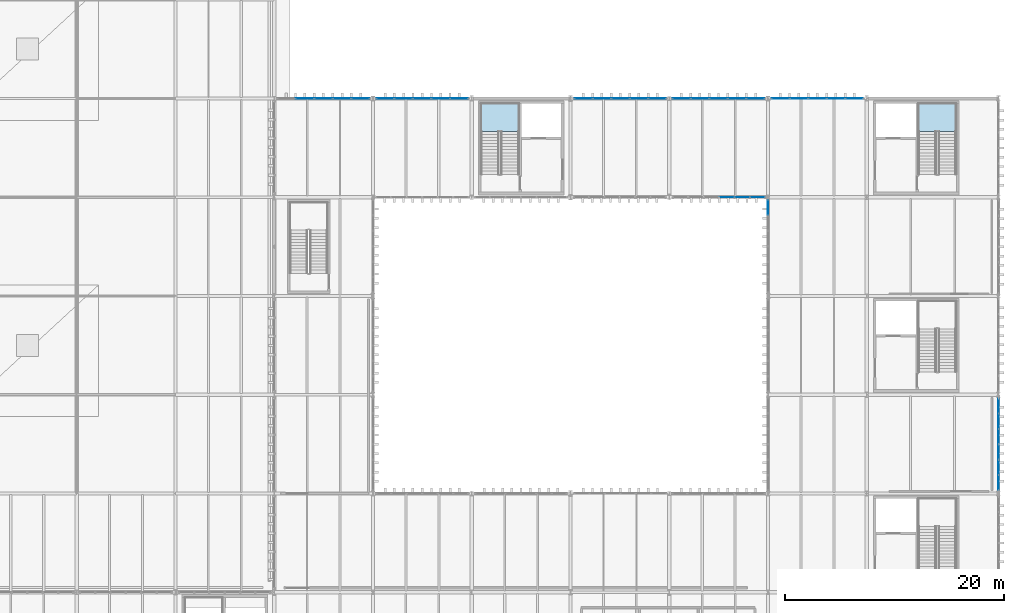
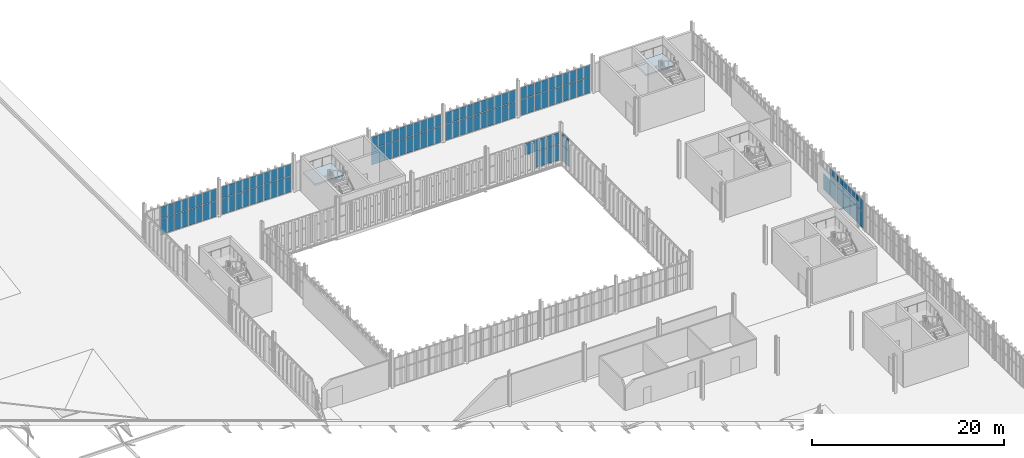
# One storey, part 170 of 196: 66 plates, 2 slabs, 10 elements without a shape of their own.
"""IFC4 building model written with IfcOpenShell, lengths in metres."""

from ifc_helpers import new_model, si_unit, direction, frame, origin, origin_2d, place, context, subcontext, project, spatial, polyline, rectangle, outline, extrude, material, layer, layer_set, type_object, element, aggregate, save


model = new_model("IFC4")

# Units and contexts
model_context = context("Model", 3, precision=1e-05, world=origin(), true_north=direction((0.0, 1.0)))
body_context = subcontext(model_context, "Body", "Model", "MODEL_VIEW")
ifc_project = project(units=[si_unit("LENGTHUNIT", "METRE"), si_unit("AREAUNIT", "SQUARE_METRE"), si_unit("VOLUMEUNIT", "CUBIC_METRE"), si_unit("PLANEANGLEUNIT", "RADIAN"), si_unit("MASSUNIT", "GRAM", prefix="KILO")], contexts=[model_context])

# Site, building, storey
site_placement = place(None, origin())
site = spatial("IfcSite", under=ifc_project, at=site_placement, CompositionType="ELEMENT")
building_placement = place(site_placement, origin())
building = spatial("IfcBuilding", under=site, at=building_placement, Name="Barlavento Convention Centre", CompositionType="ELEMENT")
storey_placement = place(building_placement, frame((0.0, 0.0, 18.0)))
storey = spatial("IfcBuildingStorey", under=building, at=storey_placement, Name="L03", CompositionType="ELEMENT", Elevation=18.0)

# Curtain wall, plates
ifc_material_1 = material(Name="Powder-coated aluminium and Low-E glass", Category="aluminium")
ifc_layer_1 = layer(ifc_material_1, 0.179931640625)
ifc_layer_set_1 = layer_set([ifc_layer_1], Name="ARC-CW-CONF-L03")
curtain_wall_type_1 = type_object("IfcCurtainWallType", Name="ARC-CW-CONF-L03", PredefinedType="NOTDEFINED", material=ifc_layer_set_1)
curtain_wall_1_placement = place(storey_placement, origin())
curtain_wall_1 = element("IfcCurtainWall", 1, at=curtain_wall_1_placement, inside=storey, type_object=curtain_wall_type_1, Name="L03 unitised curtain wall CW08", PredefinedType="NOTDEFINED")
ifc_material_2 = material(Name="Double-silver Low-E insulated glass", Category="glass")
ifc_layer_2 = layer(ifc_material_2, 0.028076171875)
ifc_layer_set_2 = layer_set([ifc_layer_2], Name="ARC-CWP-GLZ28")
plate_type = type_object("IfcPlateType", Name="ARC-CWP-GLZ28", PredefinedType="CURTAIN_PANEL", material=ifc_layer_set_2)
plate_1_placement = place(storey_placement, frame((192.0, 64.00048828125, 0.06005859375), z_axis=(0.0, 0.0, 1.0), x_axis=(0.0, 1.0, 0.0)))
plate_1 = element("IfcPlate", 2, at=plate_1_placement, type_object=plate_type, Name="CW08 panel 1.1", PredefinedType="CURTAIN_PANEL", context=body_context, shape_type="SweptSolid", body=[
    extrude(rectangle(XDim=1.310791015625, YDim=0.028076171875, at=origin_2d()), origin(), (0.0, 0.0, 1.0), 2.010009765625),
])
plate_2_placement = place(storey_placement, frame((192.0, 64.00048828125, 2.130126953125), z_axis=(0.0, 0.0, 1.0), x_axis=(0.0, 1.0, 0.0)))
plate_2 = element("IfcPlate", 3, at=plate_2_placement, type_object=plate_type, Name="CW08 panel 1.2", PredefinedType="CURTAIN_PANEL", context=body_context, shape_type="SweptSolid", body=[
    extrude(rectangle(XDim=1.310791015625, YDim=0.028076171875, at=origin_2d()), origin(), (0.0, 0.0, 1.0), 1.4599609375),
])
plate_3_placement = place(storey_placement, frame((192.0, 65.38623046875, 0.06005859375), z_axis=(0.0, 0.0, 1.0), x_axis=(0.0, 1.0, 0.0)))
plate_3 = element("IfcPlate", 4, at=plate_3_placement, type_object=plate_type, Name="CW08 panel 2.1", PredefinedType="CURTAIN_PANEL", context=body_context, shape_type="SweptSolid", body=[
    extrude(rectangle(XDim=1.3408203125, YDim=0.028076171875, at=origin_2d()), origin(), (0.0, 0.0, 1.0), 2.010009765625),
])
plate_4_placement = place(storey_placement, frame((192.0, 65.38623046875, 2.130126953125), z_axis=(0.0, 0.0, 1.0), x_axis=(0.0, 1.0, 0.0)))
plate_4 = element("IfcPlate", 5, at=plate_4_placement, type_object=plate_type, Name="CW08 panel 2.2", PredefinedType="CURTAIN_PANEL", context=body_context, shape_type="SweptSolid", body=[
    extrude(rectangle(XDim=1.3408203125, YDim=0.028076171875, at=origin_2d()), origin(), (0.0, 0.0, 1.0), 1.4599609375),
])
plate_5_placement = place(storey_placement, frame((192.0, 66.787109375, 0.06005859375), z_axis=(0.0, 0.0, 1.0), x_axis=(0.0, 1.0, 0.0)))
plate_5 = element("IfcPlate", 6, at=plate_5_placement, type_object=plate_type, Name="CW08 panel 3.1", PredefinedType="CURTAIN_PANEL", context=body_context, shape_type="SweptSolid", body=[
    extrude(rectangle(XDim=1.3408203125, YDim=0.028076171875, at=origin_2d()), origin(), (0.0, 0.0, 1.0), 2.010009765625),
])
plate_6_placement = place(storey_placement, frame((192.0, 66.787109375, 2.130126953125), z_axis=(0.0, 0.0, 1.0), x_axis=(0.0, 1.0, 0.0)))
plate_6 = element("IfcPlate", 7, at=plate_6_placement, type_object=plate_type, Name="CW08 panel 3.2", PredefinedType="CURTAIN_PANEL", context=body_context, shape_type="SweptSolid", body=[
    extrude(rectangle(XDim=1.3408203125, YDim=0.028076171875, at=origin_2d()), origin(), (0.0, 0.0, 1.0), 1.4599609375),
])
plate_7_placement = place(storey_placement, frame((192.0, 68.18798828125, 0.06005859375), z_axis=(0.0, 0.0, 1.0), x_axis=(0.0, 1.0, 0.0)))
plate_7 = element("IfcPlate", 8, at=plate_7_placement, type_object=plate_type, Name="CW08 panel 4.1", PredefinedType="CURTAIN_PANEL", context=body_context, shape_type="SweptSolid", body=[
    extrude(rectangle(XDim=1.3408203125, YDim=0.028076171875, at=origin_2d()), origin(), (0.0, 0.0, 1.0), 2.010009765625),
])
plate_8_placement = place(storey_placement, frame((192.0, 68.18798828125, 2.130126953125), z_axis=(0.0, 0.0, 1.0), x_axis=(0.0, 1.0, 0.0)))
plate_8 = element("IfcPlate", 9, at=plate_8_placement, type_object=plate_type, Name="CW08 panel 4.2", PredefinedType="CURTAIN_PANEL", context=body_context, shape_type="SweptSolid", body=[
    extrude(rectangle(XDim=1.3408203125, YDim=0.028076171875, at=origin_2d()), origin(), (0.0, 0.0, 1.0), 1.4599609375),
])
plate_9_placement = place(storey_placement, frame((192.0, 69.5888671875, 0.06005859375), z_axis=(0.0, 0.0, 1.0), x_axis=(0.0, 1.0, 0.0)))
plate_9 = element("IfcPlate", 10, at=plate_9_placement, type_object=plate_type, Name="CW08 panel 5.1", PredefinedType="CURTAIN_PANEL", context=body_context, shape_type="SweptSolid", body=[
    extrude(rectangle(XDim=1.3408203125, YDim=0.028076171875, at=origin_2d()), origin(), (0.0, 0.0, 1.0), 2.010009765625),
])
plate_10_placement = place(storey_placement, frame((192.0, 69.5888671875, 2.130126953125), z_axis=(0.0, 0.0, 1.0), x_axis=(0.0, 1.0, 0.0)))
plate_10 = element("IfcPlate", 11, at=plate_10_placement, type_object=plate_type, Name="CW08 panel 5.2", PredefinedType="CURTAIN_PANEL", context=body_context, shape_type="SweptSolid", body=[
    extrude(rectangle(XDim=1.3408203125, YDim=0.028076171875, at=origin_2d()), origin(), (0.0, 0.0, 1.0), 1.4599609375),
])
plate_11_placement = place(storey_placement, frame((192.0, 70.974609375, 0.06005859375), z_axis=(0.0, 0.0, 1.0), x_axis=(0.0, 1.0, 0.0)))
plate_11 = element("IfcPlate", 12, at=plate_11_placement, type_object=plate_type, Name="CW08 panel 6.1", PredefinedType="CURTAIN_PANEL", context=body_context, shape_type="SweptSolid", body=[
    extrude(rectangle(XDim=1.310791015625, YDim=0.028076171875, at=origin_2d()), origin(), (0.0, 0.0, 1.0), 2.010009765625),
])
aggregate(curtain_wall_1, [plate_1, plate_2, plate_3, plate_4, plate_5, plate_6, plate_7, plate_8, plate_9, plate_10, plate_11])

ifc_layer_3 = layer(ifc_material_1, 0.179931640625)
ifc_layer_set_3 = layer_set([ifc_layer_3], Name="ARC-CW-PATIO-B")
curtain_wall_type_2 = type_object("IfcCurtainWallType", Name="ARC-CW-PATIO-B", PredefinedType="NOTDEFINED", material=ifc_layer_set_3)
curtain_wall_2_placement = place(storey_placement, origin())
curtain_wall_2 = element("IfcCurtainWall", 13, at=curtain_wall_2_placement, inside=storey, type_object=curtain_wall_type_2, Name="L03 unitised curtain wall CW12", PredefinedType="NOTDEFINED")
plate_12_placement = place(storey_placement, frame((167.2451171875, 90.0, 2.130126953125), z_axis=(0.0, 0.0, 1.0), x_axis=(1.0, 0.0, 0.0)))
plate_12 = element("IfcPlate", 14, at=plate_12_placement, type_object=plate_type, Name="CW12 panel 4.2", PredefinedType="CURTAIN_PANEL", context=body_context, shape_type="SweptSolid", body=[
    extrude(rectangle(XDim=1.35009765625, YDim=0.028076171875, at=origin_2d()), origin(), (0.0, 0.0, 1.0), 1.4599609375),
])
plate_13_placement = place(storey_placement, frame((168.655029296875, 90.0, 0.06005859375), z_axis=(0.0, 0.0, 1.0), x_axis=(1.0, 0.0, 0.0)))
plate_13 = element("IfcPlate", 15, at=plate_13_placement, type_object=plate_type, Name="CW12 panel 5.1", PredefinedType="CURTAIN_PANEL", context=body_context, shape_type="SweptSolid", body=[
    extrude(rectangle(XDim=1.35009765625, YDim=0.028076171875, at=origin_2d()), origin(), (0.0, 0.0, 1.0), 2.010009765625),
])
plate_14_placement = place(storey_placement, frame((168.655029296875, 90.0, 2.130126953125), z_axis=(0.0, 0.0, 1.0), x_axis=(1.0, 0.0, 0.0)))
plate_14 = element("IfcPlate", 16, at=plate_14_placement, type_object=plate_type, Name="CW12 panel 5.2", PredefinedType="CURTAIN_PANEL", context=body_context, shape_type="SweptSolid", body=[
    extrude(rectangle(XDim=1.35009765625, YDim=0.028076171875, at=origin_2d()), origin(), (0.0, 0.0, 1.0), 1.4599609375),
])
plate_15_placement = place(storey_placement, frame((170.050048828125, 90.0, 0.06005859375), z_axis=(0.0, 0.0, 1.0), x_axis=(1.0, 0.0, 0.0)))
plate_15 = element("IfcPlate", 17, at=plate_15_placement, type_object=plate_type, Name="CW12 panel 6.1", PredefinedType="CURTAIN_PANEL", context=body_context, shape_type="SweptSolid", body=[
    extrude(rectangle(XDim=1.320068359375, YDim=0.028076171875, at=origin_2d()), origin(), (0.0, 0.0, 1.0), 2.010009765625),
])
plate_16_placement = place(storey_placement, frame((170.050048828125, 90.0, 2.130126953125), z_axis=(0.0, 0.0, 1.0), x_axis=(1.0, 0.0, 0.0)))
plate_16 = element("IfcPlate", 18, at=plate_16_placement, type_object=plate_type, Name="CW12 panel 6.2", PredefinedType="CURTAIN_PANEL", context=body_context, shape_type="SweptSolid", body=[
    extrude(rectangle(XDim=1.320068359375, YDim=0.028076171875, at=origin_2d()), origin(), (0.0, 0.0, 1.0), 1.4599609375),
])
aggregate(curtain_wall_2, [plate_12, plate_13, plate_14, plate_15, plate_16])

curtain_wall_3_placement = place(storey_placement, origin())
curtain_wall_3 = element("IfcCurtainWall", 19, at=curtain_wall_3_placement, inside=storey, type_object=curtain_wall_type_2, Name="L03 unitised curtain wall CW12", PredefinedType="NOTDEFINED")
plate_17_placement = place(storey_placement, frame((171.0, 89.050048828125, 0.06005859375), z_axis=(0.0, 0.0, 1.0), x_axis=(0.0, 1.0, 0.0)))
plate_17 = element("IfcPlate", 20, at=plate_17_placement, type_object=plate_type, Name="CW12 panel 6.1", PredefinedType="CURTAIN_PANEL", context=body_context, shape_type="SweptSolid", body=[
    extrude(rectangle(XDim=1.320068359375, YDim=0.028076171875, at=origin_2d()), origin(), (0.0, 0.0, 1.0), 2.010009765625),
])
plate_18_placement = place(storey_placement, frame((171.0, 89.050048828125, 2.130126953125), z_axis=(0.0, 0.0, 1.0), x_axis=(0.0, 1.0, 0.0)))
plate_18 = element("IfcPlate", 21, at=plate_18_placement, type_object=plate_type, Name="CW12 panel 6.2", PredefinedType="CURTAIN_PANEL", context=body_context, shape_type="SweptSolid", body=[
    extrude(rectangle(XDim=1.320068359375, YDim=0.028076171875, at=origin_2d()), origin(), (0.0, 0.0, 1.0), 1.4599609375),
])
aggregate(curtain_wall_3, [plate_17, plate_18])

curtain_wall_4_placement = place(storey_placement, origin())
curtain_wall_4 = element("IfcCurtainWall", 22, at=curtain_wall_4_placement, inside=storey, type_object=curtain_wall_type_1, Name="L03 unitised curtain wall CW08", PredefinedType="NOTDEFINED")
plate_19_placement = place(storey_placement, frame((128.787109375, 99.0, 0.06005859375), z_axis=(0.0, 0.0, 1.0), x_axis=(1.0, 0.0, 0.0)))
plate_19 = element("IfcPlate", 23, at=plate_19_placement, type_object=plate_type, Name="CW08 panel 2.1", PredefinedType="CURTAIN_PANEL", context=body_context, shape_type="SweptSolid", body=[
    extrude(rectangle(XDim=1.637939453125, YDim=0.028076171875, at=origin_2d()), origin(), (0.0, 0.0, 1.0), 2.010009765625),
])
plate_20_placement = place(storey_placement, frame((128.787109375, 99.0, 2.130126953125), z_axis=(0.0, 0.0, 1.0), x_axis=(1.0, 0.0, 0.0)))
plate_20 = element("IfcPlate", 24, at=plate_20_placement, type_object=plate_type, Name="CW08 panel 2.2", PredefinedType="CURTAIN_PANEL", context=body_context, shape_type="SweptSolid", body=[
    extrude(rectangle(XDim=1.637939453125, YDim=0.028076171875, at=origin_2d()), origin(), (0.0, 0.0, 1.0), 1.4599609375),
])
plate_21_placement = place(storey_placement, frame((130.485107421875, 99.0, 0.06005859375), z_axis=(0.0, 0.0, 1.0), x_axis=(1.0, 0.0, 0.0)))
plate_21 = element("IfcPlate", 25, at=plate_21_placement, type_object=plate_type, Name="CW08 panel 3.1", PredefinedType="CURTAIN_PANEL", context=body_context, shape_type="SweptSolid", body=[
    extrude(rectangle(XDim=1.637939453125, YDim=0.028076171875, at=origin_2d()), origin(), (0.0, 0.0, 1.0), 2.010009765625),
])
plate_22_placement = place(storey_placement, frame((130.485107421875, 99.0, 2.130126953125), z_axis=(0.0, 0.0, 1.0), x_axis=(1.0, 0.0, 0.0)))
plate_22 = element("IfcPlate", 26, at=plate_22_placement, type_object=plate_type, Name="CW08 panel 3.2", PredefinedType="CURTAIN_PANEL", context=body_context, shape_type="SweptSolid", body=[
    extrude(rectangle(XDim=1.637939453125, YDim=0.028076171875, at=origin_2d()), origin(), (0.0, 0.0, 1.0), 1.4599609375),
])
plate_23_placement = place(storey_placement, frame((132.18310546875, 99.0, 0.06005859375), z_axis=(0.0, 0.0, 1.0), x_axis=(1.0, 0.0, 0.0)))
plate_23 = element("IfcPlate", 27, at=plate_23_placement, type_object=plate_type, Name="CW08 panel 4.1", PredefinedType="CURTAIN_PANEL", context=body_context, shape_type="SweptSolid", body=[
    extrude(rectangle(XDim=1.637939453125, YDim=0.028076171875, at=origin_2d()), origin(), (0.0, 0.0, 1.0), 2.010009765625),
])
plate_24_placement = place(storey_placement, frame((132.18310546875, 99.0, 2.130126953125), z_axis=(0.0, 0.0, 1.0), x_axis=(1.0, 0.0, 0.0)))
plate_24 = element("IfcPlate", 28, at=plate_24_placement, type_object=plate_type, Name="CW08 panel 4.2", PredefinedType="CURTAIN_PANEL", context=body_context, shape_type="SweptSolid", body=[
    extrude(rectangle(XDim=1.637939453125, YDim=0.028076171875, at=origin_2d()), origin(), (0.0, 0.0, 1.0), 1.4599609375),
])
plate_25_placement = place(storey_placement, frame((133.865966796875, 99.0, 0.06005859375), z_axis=(0.0, 0.0, 1.0), x_axis=(1.0, 0.0, 0.0)))
plate_25 = element("IfcPlate", 29, at=plate_25_placement, type_object=plate_type, Name="CW08 panel 5.1", PredefinedType="CURTAIN_PANEL", context=body_context, shape_type="SweptSolid", body=[
    extrude(rectangle(XDim=1.60791015625, YDim=0.028076171875, at=origin_2d()), origin(), (0.0, 0.0, 1.0), 2.010009765625),
])
plate_26_placement = place(storey_placement, frame((133.865966796875, 99.0, 2.130126953125), z_axis=(0.0, 0.0, 1.0), x_axis=(1.0, 0.0, 0.0)))
plate_26 = element("IfcPlate", 30, at=plate_26_placement, type_object=plate_type, Name="CW08 panel 5.2", PredefinedType="CURTAIN_PANEL", context=body_context, shape_type="SweptSolid", body=[
    extrude(rectangle(XDim=1.60791015625, YDim=0.028076171875, at=origin_2d()), origin(), (0.0, 0.0, 1.0), 1.4599609375),
])
aggregate(curtain_wall_4, [plate_19, plate_20, plate_21, plate_22, plate_23, plate_24, plate_25, plate_26])

curtain_wall_5_placement = place(storey_placement, origin())
curtain_wall_5 = element("IfcCurtainWall", 31, at=curtain_wall_5_placement, inside=storey, type_object=curtain_wall_type_1, Name="L03 unitised curtain wall CW08", PredefinedType="NOTDEFINED")
plate_27_placement = place(storey_placement, frame((136.12841796875, 99.0, 0.06005859375), z_axis=(0.0, 0.0, 1.0), x_axis=(1.0, 0.0, 0.0)))
plate_27 = element("IfcPlate", 32, at=plate_27_placement, type_object=plate_type, Name="CW08 panel 1.1", PredefinedType="CURTAIN_PANEL", context=body_context, shape_type="SweptSolid", body=[
    extrude(rectangle(XDim=1.596923828125, YDim=0.028076171875, at=origin_2d()), origin(), (0.0, 0.0, 1.0), 2.010009765625),
])
plate_28_placement = place(storey_placement, frame((136.12841796875, 99.0, 2.130126953125), z_axis=(0.0, 0.0, 1.0), x_axis=(1.0, 0.0, 0.0)))
plate_28 = element("IfcPlate", 33, at=plate_28_placement, type_object=plate_type, Name="CW08 panel 1.2", PredefinedType="CURTAIN_PANEL", context=body_context, shape_type="SweptSolid", body=[
    extrude(rectangle(XDim=1.596923828125, YDim=0.028076171875, at=origin_2d()), origin(), (0.0, 0.0, 1.0), 1.4599609375),
])
plate_29_placement = place(storey_placement, frame((137.800537109375, 99.0, 0.06005859375), z_axis=(0.0, 0.0, 1.0), x_axis=(1.0, 0.0, 0.0)))
plate_29 = element("IfcPlate", 34, at=plate_29_placement, type_object=plate_type, Name="CW08 panel 2.1", PredefinedType="CURTAIN_PANEL", context=body_context, shape_type="SweptSolid", body=[
    extrude(rectangle(XDim=1.626953125, YDim=0.028076171875, at=origin_2d()), origin(), (0.0, 0.0, 1.0), 2.010009765625),
])
plate_30_placement = place(storey_placement, frame((137.800537109375, 99.0, 2.130126953125), z_axis=(0.0, 0.0, 1.0), x_axis=(1.0, 0.0, 0.0)))
plate_30 = element("IfcPlate", 35, at=plate_30_placement, type_object=plate_type, Name="CW08 panel 2.2", PredefinedType="CURTAIN_PANEL", context=body_context, shape_type="SweptSolid", body=[
    extrude(rectangle(XDim=1.626953125, YDim=0.028076171875, at=origin_2d()), origin(), (0.0, 0.0, 1.0), 1.4599609375),
])
plate_31_placement = place(storey_placement, frame((139.487548828125, 99.0, 0.06005859375), z_axis=(0.0, 0.0, 1.0), x_axis=(1.0, 0.0, 0.0)))
plate_31 = element("IfcPlate", 36, at=plate_31_placement, type_object=plate_type, Name="CW08 panel 3.1", PredefinedType="CURTAIN_PANEL", context=body_context, shape_type="SweptSolid", body=[
    extrude(rectangle(XDim=1.626953125, YDim=0.028076171875, at=origin_2d()), origin(), (0.0, 0.0, 1.0), 2.010009765625),
])
plate_32_placement = place(storey_placement, frame((139.487548828125, 99.0, 2.130126953125), z_axis=(0.0, 0.0, 1.0), x_axis=(1.0, 0.0, 0.0)))
plate_32 = element("IfcPlate", 37, at=plate_32_placement, type_object=plate_type, Name="CW08 panel 3.2", PredefinedType="CURTAIN_PANEL", context=body_context, shape_type="SweptSolid", body=[
    extrude(rectangle(XDim=1.626953125, YDim=0.028076171875, at=origin_2d()), origin(), (0.0, 0.0, 1.0), 1.4599609375),
])
plate_33_placement = place(storey_placement, frame((141.174560546875, 99.0, 0.06005859375), z_axis=(0.0, 0.0, 1.0), x_axis=(1.0, 0.0, 0.0)))
plate_33 = element("IfcPlate", 38, at=plate_33_placement, type_object=plate_type, Name="CW08 panel 4.1", PredefinedType="CURTAIN_PANEL", context=body_context, shape_type="SweptSolid", body=[
    extrude(rectangle(XDim=1.626953125, YDim=0.028076171875, at=origin_2d()), origin(), (0.0, 0.0, 1.0), 2.010009765625),
])
plate_34_placement = place(storey_placement, frame((141.174560546875, 99.0, 2.130126953125), z_axis=(0.0, 0.0, 1.0), x_axis=(1.0, 0.0, 0.0)))
plate_34 = element("IfcPlate", 39, at=plate_34_placement, type_object=plate_type, Name="CW08 panel 4.2", PredefinedType="CURTAIN_PANEL", context=body_context, shape_type="SweptSolid", body=[
    extrude(rectangle(XDim=1.626953125, YDim=0.028076171875, at=origin_2d()), origin(), (0.0, 0.0, 1.0), 1.4599609375),
])
plate_35_placement = place(storey_placement, frame((142.846435546875, 99.0, 0.06005859375), z_axis=(0.0, 0.0, 1.0), x_axis=(1.0, 0.0, 0.0)))
plate_35 = element("IfcPlate", 40, at=plate_35_placement, type_object=plate_type, Name="CW08 panel 5.1", PredefinedType="CURTAIN_PANEL", context=body_context, shape_type="SweptSolid", body=[
    extrude(rectangle(XDim=1.596923828125, YDim=0.028076171875, at=origin_2d()), origin(), (0.0, 0.0, 1.0), 2.010009765625),
])
plate_36_placement = place(storey_placement, frame((142.846435546875, 99.0, 2.130126953125), z_axis=(0.0, 0.0, 1.0), x_axis=(1.0, 0.0, 0.0)))
plate_36 = element("IfcPlate", 41, at=plate_36_placement, type_object=plate_type, Name="CW08 panel 5.2", PredefinedType="CURTAIN_PANEL", context=body_context, shape_type="SweptSolid", body=[
    extrude(rectangle(XDim=1.596923828125, YDim=0.028076171875, at=origin_2d()), origin(), (0.0, 0.0, 1.0), 1.4599609375),
])
aggregate(curtain_wall_5, [plate_27, plate_28, plate_29, plate_30, plate_31, plate_32, plate_33, plate_34, plate_35, plate_36])

curtain_wall_6_placement = place(storey_placement, origin())
curtain_wall_6 = element("IfcCurtainWall", 42, at=curtain_wall_6_placement, inside=storey, type_object=curtain_wall_type_1, Name="L03 unitised curtain wall CW08", PredefinedType="NOTDEFINED")
plate_37_placement = place(storey_placement, frame((154.178955078125, 99.0, 0.06005859375), z_axis=(0.0, 0.0, 1.0), x_axis=(1.0, 0.0, 0.0)))
plate_37 = element("IfcPlate", 43, at=plate_37_placement, type_object=plate_type, Name="CW08 panel 1.1", PredefinedType="CURTAIN_PANEL", context=body_context, shape_type="SweptSolid", body=[
    extrude(rectangle(XDim=1.597900390625, YDim=0.028076171875, at=origin_2d()), origin(), (0.0, 0.0, 1.0), 2.010009765625),
])
plate_38_placement = place(storey_placement, frame((154.178955078125, 99.0, 2.130126953125), z_axis=(0.0, 0.0, 1.0), x_axis=(1.0, 0.0, 0.0)))
plate_38 = element("IfcPlate", 44, at=plate_38_placement, type_object=plate_type, Name="CW08 panel 1.2", PredefinedType="CURTAIN_PANEL", context=body_context, shape_type="SweptSolid", body=[
    extrude(rectangle(XDim=1.597900390625, YDim=0.028076171875, at=origin_2d()), origin(), (0.0, 0.0, 1.0), 1.4599609375),
])
plate_39_placement = place(storey_placement, frame((155.85205078125, 99.0, 0.06005859375), z_axis=(0.0, 0.0, 1.0), x_axis=(1.0, 0.0, 0.0)))
plate_39 = element("IfcPlate", 45, at=plate_39_placement, type_object=plate_type, Name="CW08 panel 2.1", PredefinedType="CURTAIN_PANEL", context=body_context, shape_type="SweptSolid", body=[
    extrude(rectangle(XDim=1.6279296875, YDim=0.028076171875, at=origin_2d()), origin(), (0.0, 0.0, 1.0), 2.010009765625),
])
plate_40_placement = place(storey_placement, frame((155.85205078125, 99.0, 2.130126953125), z_axis=(0.0, 0.0, 1.0), x_axis=(1.0, 0.0, 0.0)))
plate_40 = element("IfcPlate", 46, at=plate_40_placement, type_object=plate_type, Name="CW08 panel 2.2", PredefinedType="CURTAIN_PANEL", context=body_context, shape_type="SweptSolid", body=[
    extrude(rectangle(XDim=1.6279296875, YDim=0.028076171875, at=origin_2d()), origin(), (0.0, 0.0, 1.0), 1.4599609375),
])
plate_41_placement = place(storey_placement, frame((157.5400390625, 99.0, 0.06005859375), z_axis=(0.0, 0.0, 1.0), x_axis=(1.0, 0.0, 0.0)))
plate_41 = element("IfcPlate", 47, at=plate_41_placement, type_object=plate_type, Name="CW08 panel 3.1", PredefinedType="CURTAIN_PANEL", context=body_context, shape_type="SweptSolid", body=[
    extrude(rectangle(XDim=1.6279296875, YDim=0.028076171875, at=origin_2d()), origin(), (0.0, 0.0, 1.0), 2.010009765625),
])
plate_42_placement = place(storey_placement, frame((157.5400390625, 99.0, 2.130126953125), z_axis=(0.0, 0.0, 1.0), x_axis=(1.0, 0.0, 0.0)))
plate_42 = element("IfcPlate", 48, at=plate_42_placement, type_object=plate_type, Name="CW08 panel 3.2", PredefinedType="CURTAIN_PANEL", context=body_context, shape_type="SweptSolid", body=[
    extrude(rectangle(XDim=1.6279296875, YDim=0.028076171875, at=origin_2d()), origin(), (0.0, 0.0, 1.0), 1.4599609375),
])
plate_43_placement = place(storey_placement, frame((159.22802734375, 99.0, 0.06005859375), z_axis=(0.0, 0.0, 1.0), x_axis=(1.0, 0.0, 0.0)))
plate_43 = element("IfcPlate", 49, at=plate_43_placement, type_object=plate_type, Name="CW08 panel 4.1", PredefinedType="CURTAIN_PANEL", context=body_context, shape_type="SweptSolid", body=[
    extrude(rectangle(XDim=1.6279296875, YDim=0.028076171875, at=origin_2d()), origin(), (0.0, 0.0, 1.0), 2.010009765625),
])
plate_44_placement = place(storey_placement, frame((159.22802734375, 99.0, 2.130126953125), z_axis=(0.0, 0.0, 1.0), x_axis=(1.0, 0.0, 0.0)))
plate_44 = element("IfcPlate", 50, at=plate_44_placement, type_object=plate_type, Name="CW08 panel 4.2", PredefinedType="CURTAIN_PANEL", context=body_context, shape_type="SweptSolid", body=[
    extrude(rectangle(XDim=1.6279296875, YDim=0.028076171875, at=origin_2d()), origin(), (0.0, 0.0, 1.0), 1.4599609375),
])
plate_45_placement = place(storey_placement, frame((160.90087890625, 99.0, 0.06005859375), z_axis=(0.0, 0.0, 1.0), x_axis=(1.0, 0.0, 0.0)))
plate_45 = element("IfcPlate", 51, at=plate_45_placement, type_object=plate_type, Name="CW08 panel 5.1", PredefinedType="CURTAIN_PANEL", context=body_context, shape_type="SweptSolid", body=[
    extrude(rectangle(XDim=1.597900390625, YDim=0.028076171875, at=origin_2d()), origin(), (0.0, 0.0, 1.0), 2.010009765625),
])
plate_46_placement = place(storey_placement, frame((160.90087890625, 99.0, 2.130126953125), z_axis=(0.0, 0.0, 1.0), x_axis=(1.0, 0.0, 0.0)))
plate_46 = element("IfcPlate", 52, at=plate_46_placement, type_object=plate_type, Name="CW08 panel 5.2", PredefinedType="CURTAIN_PANEL", context=body_context, shape_type="SweptSolid", body=[
    extrude(rectangle(XDim=1.597900390625, YDim=0.028076171875, at=origin_2d()), origin(), (0.0, 0.0, 1.0), 1.4599609375),
])
aggregate(curtain_wall_6, [plate_37, plate_38, plate_39, plate_40, plate_41, plate_42, plate_43, plate_44, plate_45, plate_46])

curtain_wall_7_placement = place(storey_placement, origin())
curtain_wall_7 = element("IfcCurtainWall", 53, at=curtain_wall_7_placement, inside=storey, type_object=curtain_wall_type_1, Name="L03 unitised curtain wall CW08", PredefinedType="NOTDEFINED")
plate_47_placement = place(storey_placement, frame((163.10400390625, 99.0, 0.06005859375), z_axis=(0.0, 0.0, 1.0), x_axis=(1.0, 0.0, 0.0)))
plate_47 = element("IfcPlate", 54, at=plate_47_placement, type_object=plate_type, Name="CW08 panel 1.1", PredefinedType="CURTAIN_PANEL", context=body_context, shape_type="SweptSolid", body=[
    extrude(rectangle(XDim=1.60791015625, YDim=0.028076171875, at=origin_2d()), origin(), (0.0, 0.0, 1.0), 2.010009765625),
])
plate_48_placement = place(storey_placement, frame((163.10400390625, 99.0, 2.130126953125), z_axis=(0.0, 0.0, 1.0), x_axis=(1.0, 0.0, 0.0)))
plate_48 = element("IfcPlate", 55, at=plate_48_placement, type_object=plate_type, Name="CW08 panel 1.2", PredefinedType="CURTAIN_PANEL", context=body_context, shape_type="SweptSolid", body=[
    extrude(rectangle(XDim=1.60791015625, YDim=0.028076171875, at=origin_2d()), origin(), (0.0, 0.0, 1.0), 1.4599609375),
])
plate_49_placement = place(storey_placement, frame((164.787109375, 99.0, 0.06005859375), z_axis=(0.0, 0.0, 1.0), x_axis=(1.0, 0.0, 0.0)))
plate_49 = element("IfcPlate", 56, at=plate_49_placement, type_object=plate_type, Name="CW08 panel 2.1", PredefinedType="CURTAIN_PANEL", context=body_context, shape_type="SweptSolid", body=[
    extrude(rectangle(XDim=1.637939453125, YDim=0.028076171875, at=origin_2d()), origin(), (0.0, 0.0, 1.0), 2.010009765625),
])
plate_50_placement = place(storey_placement, frame((164.787109375, 99.0, 2.130126953125), z_axis=(0.0, 0.0, 1.0), x_axis=(1.0, 0.0, 0.0)))
plate_50 = element("IfcPlate", 57, at=plate_50_placement, type_object=plate_type, Name="CW08 panel 2.2", PredefinedType="CURTAIN_PANEL", context=body_context, shape_type="SweptSolid", body=[
    extrude(rectangle(XDim=1.637939453125, YDim=0.028076171875, at=origin_2d()), origin(), (0.0, 0.0, 1.0), 1.4599609375),
])
plate_51_placement = place(storey_placement, frame((166.485107421875, 99.0, 0.06005859375), z_axis=(0.0, 0.0, 1.0), x_axis=(1.0, 0.0, 0.0)))
plate_51 = element("IfcPlate", 58, at=plate_51_placement, type_object=plate_type, Name="CW08 panel 3.1", PredefinedType="CURTAIN_PANEL", context=body_context, shape_type="SweptSolid", body=[
    extrude(rectangle(XDim=1.637939453125, YDim=0.028076171875, at=origin_2d()), origin(), (0.0, 0.0, 1.0), 2.010009765625),
])
plate_52_placement = place(storey_placement, frame((166.485107421875, 99.0, 2.130126953125), z_axis=(0.0, 0.0, 1.0), x_axis=(1.0, 0.0, 0.0)))
plate_52 = element("IfcPlate", 59, at=plate_52_placement, type_object=plate_type, Name="CW08 panel 3.2", PredefinedType="CURTAIN_PANEL", context=body_context, shape_type="SweptSolid", body=[
    extrude(rectangle(XDim=1.637939453125, YDim=0.028076171875, at=origin_2d()), origin(), (0.0, 0.0, 1.0), 1.4599609375),
])
plate_53_placement = place(storey_placement, frame((168.18310546875, 99.0, 0.06005859375), z_axis=(0.0, 0.0, 1.0), x_axis=(1.0, 0.0, 0.0)))
plate_53 = element("IfcPlate", 60, at=plate_53_placement, type_object=plate_type, Name="CW08 panel 4.1", PredefinedType="CURTAIN_PANEL", context=body_context, shape_type="SweptSolid", body=[
    extrude(rectangle(XDim=1.637939453125, YDim=0.028076171875, at=origin_2d()), origin(), (0.0, 0.0, 1.0), 2.010009765625),
])
plate_54_placement = place(storey_placement, frame((168.18310546875, 99.0, 2.130126953125), z_axis=(0.0, 0.0, 1.0), x_axis=(1.0, 0.0, 0.0)))
plate_54 = element("IfcPlate", 61, at=plate_54_placement, type_object=plate_type, Name="CW08 panel 4.2", PredefinedType="CURTAIN_PANEL", context=body_context, shape_type="SweptSolid", body=[
    extrude(rectangle(XDim=1.637939453125, YDim=0.028076171875, at=origin_2d()), origin(), (0.0, 0.0, 1.0), 1.4599609375),
])
plate_55_placement = place(storey_placement, frame((169.865966796875, 99.0, 0.06005859375), z_axis=(0.0, 0.0, 1.0), x_axis=(1.0, 0.0, 0.0)))
plate_55 = element("IfcPlate", 62, at=plate_55_placement, type_object=plate_type, Name="CW08 panel 5.1", PredefinedType="CURTAIN_PANEL", context=body_context, shape_type="SweptSolid", body=[
    extrude(rectangle(XDim=1.60791015625, YDim=0.028076171875, at=origin_2d()), origin(), (0.0, 0.0, 1.0), 2.010009765625),
])
plate_56_placement = place(storey_placement, frame((169.865966796875, 99.0, 2.130126953125), z_axis=(0.0, 0.0, 1.0), x_axis=(1.0, 0.0, 0.0)))
plate_56 = element("IfcPlate", 63, at=plate_56_placement, type_object=plate_type, Name="CW08 panel 5.2", PredefinedType="CURTAIN_PANEL", context=body_context, shape_type="SweptSolid", body=[
    extrude(rectangle(XDim=1.60791015625, YDim=0.028076171875, at=origin_2d()), origin(), (0.0, 0.0, 1.0), 1.4599609375),
])
aggregate(curtain_wall_7, [plate_47, plate_48, plate_49, plate_50, plate_51, plate_52, plate_53, plate_54, plate_55, plate_56])

curtain_wall_8_placement = place(storey_placement, origin())
curtain_wall_8 = element("IfcCurtainWall", 64, at=curtain_wall_8_placement, inside=storey, type_object=curtain_wall_type_1, Name="L03 unitised curtain wall CW08", PredefinedType="NOTDEFINED")
plate_57_placement = place(storey_placement, frame((172.12841796875, 99.0, 0.06005859375), z_axis=(0.0, 0.0, 1.0), x_axis=(1.0, 0.0, 0.0)))
plate_57 = element("IfcPlate", 65, at=plate_57_placement, type_object=plate_type, Name="CW08 panel 1.1", PredefinedType="CURTAIN_PANEL", context=body_context, shape_type="SweptSolid", body=[
    extrude(rectangle(XDim=1.596923828125, YDim=0.028076171875, at=origin_2d()), origin(), (0.0, 0.0, 1.0), 2.010009765625),
])
plate_58_placement = place(storey_placement, frame((172.12841796875, 99.0, 2.130126953125), z_axis=(0.0, 0.0, 1.0), x_axis=(1.0, 0.0, 0.0)))
plate_58 = element("IfcPlate", 66, at=plate_58_placement, type_object=plate_type, Name="CW08 panel 1.2", PredefinedType="CURTAIN_PANEL", context=body_context, shape_type="SweptSolid", body=[
    extrude(rectangle(XDim=1.596923828125, YDim=0.028076171875, at=origin_2d()), origin(), (0.0, 0.0, 1.0), 1.4599609375),
])
plate_59_placement = place(storey_placement, frame((173.800537109375, 99.0, 0.06005859375), z_axis=(0.0, 0.0, 1.0), x_axis=(1.0, 0.0, 0.0)))
plate_59 = element("IfcPlate", 67, at=plate_59_placement, type_object=plate_type, Name="CW08 panel 2.1", PredefinedType="CURTAIN_PANEL", context=body_context, shape_type="SweptSolid", body=[
    extrude(rectangle(XDim=1.626953125, YDim=0.028076171875, at=origin_2d()), origin(), (0.0, 0.0, 1.0), 2.010009765625),
])
plate_60_placement = place(storey_placement, frame((173.800537109375, 99.0, 2.130126953125), z_axis=(0.0, 0.0, 1.0), x_axis=(1.0, 0.0, 0.0)))
plate_60 = element("IfcPlate", 68, at=plate_60_placement, type_object=plate_type, Name="CW08 panel 2.2", PredefinedType="CURTAIN_PANEL", context=body_context, shape_type="SweptSolid", body=[
    extrude(rectangle(XDim=1.626953125, YDim=0.028076171875, at=origin_2d()), origin(), (0.0, 0.0, 1.0), 1.4599609375),
])
plate_61_placement = place(storey_placement, frame((175.487548828125, 99.0, 0.06005859375), z_axis=(0.0, 0.0, 1.0), x_axis=(1.0, 0.0, 0.0)))
plate_61 = element("IfcPlate", 69, at=plate_61_placement, type_object=plate_type, Name="CW08 panel 3.1", PredefinedType="CURTAIN_PANEL", context=body_context, shape_type="SweptSolid", body=[
    extrude(rectangle(XDim=1.626953125, YDim=0.028076171875, at=origin_2d()), origin(), (0.0, 0.0, 1.0), 2.010009765625),
])
plate_62_placement = place(storey_placement, frame((175.487548828125, 99.0, 2.130126953125), z_axis=(0.0, 0.0, 1.0), x_axis=(1.0, 0.0, 0.0)))
plate_62 = element("IfcPlate", 70, at=plate_62_placement, type_object=plate_type, Name="CW08 panel 3.2", PredefinedType="CURTAIN_PANEL", context=body_context, shape_type="SweptSolid", body=[
    extrude(rectangle(XDim=1.626953125, YDim=0.028076171875, at=origin_2d()), origin(), (0.0, 0.0, 1.0), 1.4599609375),
])
plate_63_placement = place(storey_placement, frame((177.174560546875, 99.0, 0.06005859375), z_axis=(0.0, 0.0, 1.0), x_axis=(1.0, 0.0, 0.0)))
plate_63 = element("IfcPlate", 71, at=plate_63_placement, type_object=plate_type, Name="CW08 panel 4.1", PredefinedType="CURTAIN_PANEL", context=body_context, shape_type="SweptSolid", body=[
    extrude(rectangle(XDim=1.626953125, YDim=0.028076171875, at=origin_2d()), origin(), (0.0, 0.0, 1.0), 2.010009765625),
])
plate_64_placement = place(storey_placement, frame((177.174560546875, 99.0, 2.130126953125), z_axis=(0.0, 0.0, 1.0), x_axis=(1.0, 0.0, 0.0)))
plate_64 = element("IfcPlate", 72, at=plate_64_placement, type_object=plate_type, Name="CW08 panel 4.2", PredefinedType="CURTAIN_PANEL", context=body_context, shape_type="SweptSolid", body=[
    extrude(rectangle(XDim=1.626953125, YDim=0.028076171875, at=origin_2d()), origin(), (0.0, 0.0, 1.0), 1.4599609375),
])
plate_65_placement = place(storey_placement, frame((178.846435546875, 99.0, 0.06005859375), z_axis=(0.0, 0.0, 1.0), x_axis=(1.0, 0.0, 0.0)))
plate_65 = element("IfcPlate", 73, at=plate_65_placement, type_object=plate_type, Name="CW08 panel 5.1", PredefinedType="CURTAIN_PANEL", context=body_context, shape_type="SweptSolid", body=[
    extrude(rectangle(XDim=1.596923828125, YDim=0.028076171875, at=origin_2d()), origin(), (0.0, 0.0, 1.0), 2.010009765625),
])
plate_66_placement = place(storey_placement, frame((178.846435546875, 99.0, 2.130126953125), z_axis=(0.0, 0.0, 1.0), x_axis=(1.0, 0.0, 0.0)))
plate_66 = element("IfcPlate", 74, at=plate_66_placement, type_object=plate_type, Name="CW08 panel 5.2", PredefinedType="CURTAIN_PANEL", context=body_context, shape_type="SweptSolid", body=[
    extrude(rectangle(XDim=1.596923828125, YDim=0.028076171875, at=origin_2d()), origin(), (0.0, 0.0, 1.0), 1.4599609375),
])
aggregate(curtain_wall_8, [plate_57, plate_58, plate_59, plate_60, plate_61, plate_62, plate_63, plate_64, plate_65, plate_66])

# Stair, slab
ifc_material_3 = material(Name="Concrete C40/50", Category="concrete")
stair_type = type_object("IfcStairType", Name="ARC-STR-DOG-1620", PredefinedType="HALF_TURN_STAIR", material=ifc_material_3)
stair_1_placement = place(storey_placement, origin())
stair_1 = element("IfcStair", 75, at=stair_1_placement, inside=storey, type_object=stair_type, Name="L03 ST08", PredefinedType="HALF_TURN_STAIR")
ifc_layer_4 = layer(ifc_material_3, 0.199951171875)
ifc_layer_set_4 = layer_set([ifc_layer_4], Name="ARC-SLB-LND-200")
slab_type = type_object("IfcSlabType", Name="ARC-SLB-LND-200", PredefinedType="LANDING", material=ifc_layer_set_4)
slab_1_placement = place(storey_placement, frame((0.0, 0.0, 2.199951171875)))
slab_1 = element("IfcSlab", 76, at=slab_1_placement, type_object=slab_type, Name="ST08 landing 1", PredefinedType="LANDING", context=body_context, shape_type="SweptSolid", body=[
    extrude(outline(polyline([(188.14990234375, 96.010009765625), (188.14990234375, 98.530029296875), (184.7099609375, 98.530029296875), (184.7099609375, 96.010009765625), (188.14990234375, 96.010009765625)])), origin(), (0.0, 0.0, 1.0), 0.199951171875),
])
aggregate(stair_1, [slab_1])

stair_2_placement = place(storey_placement, origin())
stair_2 = element("IfcStair", 77, at=stair_2_placement, inside=storey, type_object=stair_type, Name="L03 ST09", PredefinedType="HALF_TURN_STAIR")
slab_2_placement = place(storey_placement, frame((0.0, 0.0, 2.199951171875)))
slab_2 = element("IfcSlab", 78, at=slab_2_placement, type_object=slab_type, Name="ST09 landing 1", PredefinedType="LANDING", context=body_context, shape_type="SweptSolid", body=[
    extrude(outline(polyline([(148.2900390625, 96.010009765625), (148.2900390625, 98.530029296875), (144.85009765625, 98.530029296875), (144.85009765625, 96.010009765625), (148.2900390625, 96.010009765625)])), origin(), (0.0, 0.0, 1.0), 0.199951171875),
])
aggregate(stair_2, [slab_2])

save(model, "model.ifc")
